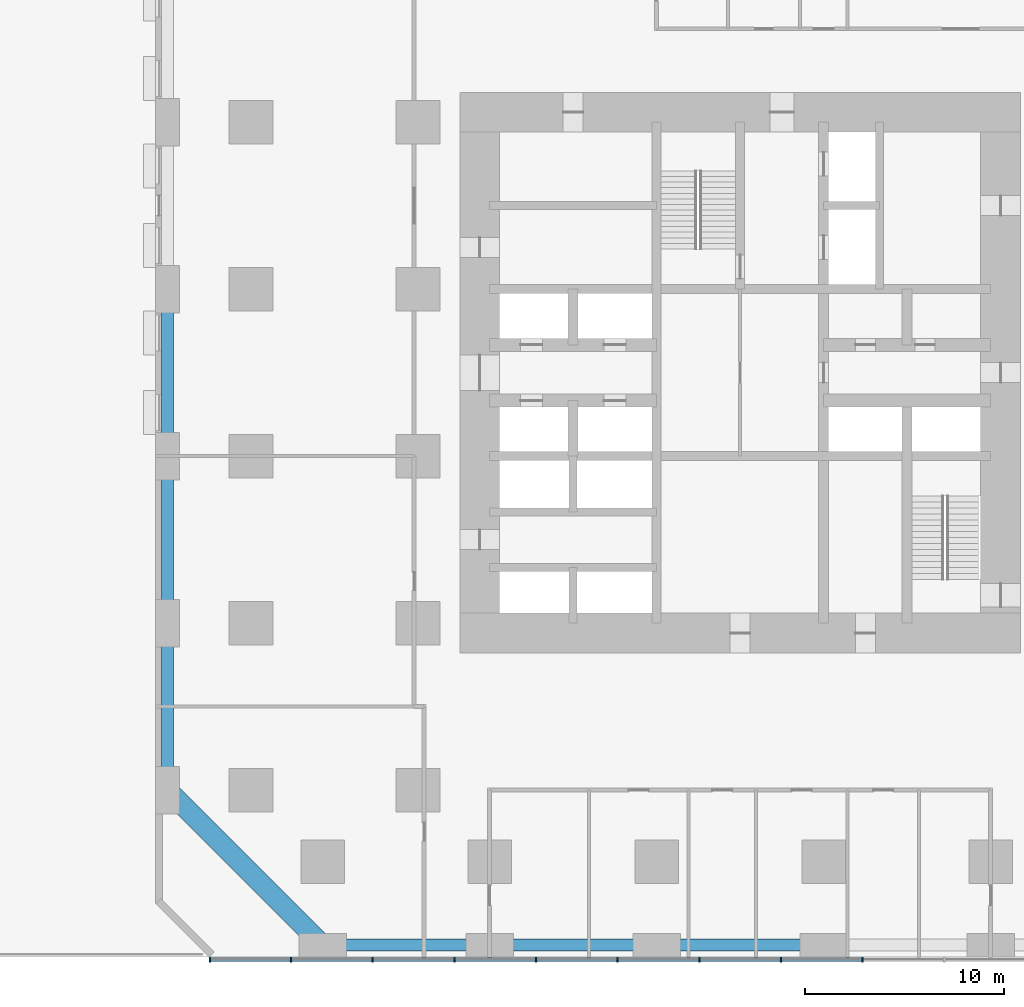
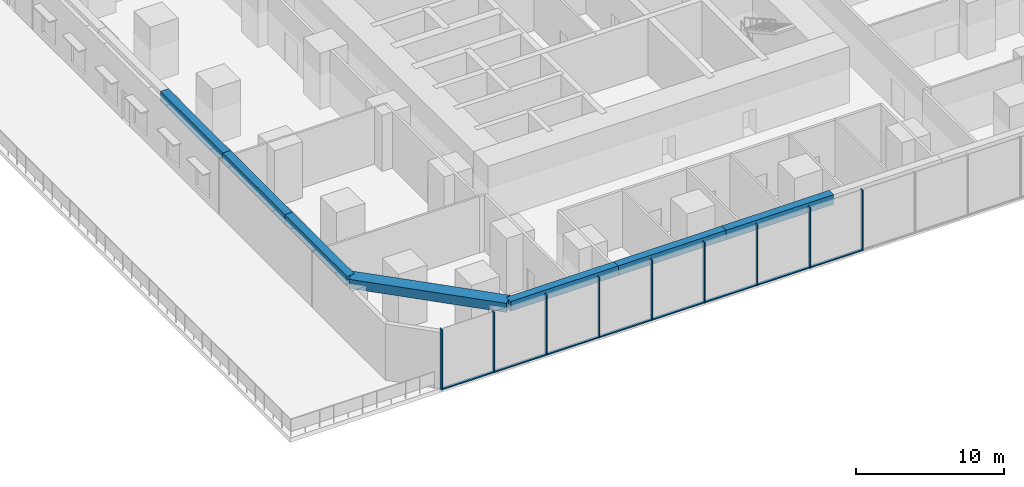
# One storey, part 2 of 12: 17 members, 7 beams, 1 element without a shape of its own.
"""IFC4 building model written with IfcOpenShell, lengths in metres."""

from ifc_helpers import new_model, si_unit, direction, frame, origin, origin_2d, place, context, subcontext, project, spatial, rectangle, extrude, material, material_profile, profile_set, type_object, element, aggregate, save


model = new_model("IFC4")

# Units and contexts
model_context = context("Model", 3, precision=1e-05, world=origin(), true_north=direction((0.0, 1.0)))
body_context = subcontext(model_context, "Body", "Model", "MODEL_VIEW")
ifc_project = project(units=[si_unit("LENGTHUNIT", "METRE"), si_unit("AREAUNIT", "SQUARE_METRE"), si_unit("VOLUMEUNIT", "CUBIC_METRE"), si_unit("PLANEANGLEUNIT", "RADIAN"), si_unit("MASSUNIT", "GRAM", prefix="KILO")], contexts=[model_context])

# Site, building, storey
site_placement = place(None, origin())
site = spatial("IfcSite", under=ifc_project, at=site_placement, CompositionType="ELEMENT")
building_placement = place(site_placement, origin())
building = spatial("IfcBuilding", under=site, at=building_placement, Name="Dunama Terrace Hotel", CompositionType="ELEMENT")
storey_placement = place(building_placement, frame((0.0, 0.0, 22.0)))
storey = spatial("IfcBuildingStorey", under=building, at=storey_placement, Name="L04", CompositionType="ELEMENT", Elevation=22.0)

# Curtain wall, members
ifc_material_1 = material(Name="Aluminium curtain wall system", Category="aluminium")
curtain_wall_type = type_object("IfcCurtainWallType", Name="Podium storefront glazing CW-E", PredefinedType="NOTDEFINED", material=ifc_material_1)
curtain_wall_placement = place(storey_placement, origin())
curtain_wall = element("IfcCurtainWall", 1, at=curtain_wall_placement, inside=storey, type_object=curtain_wall_type, Name="Podium storefront glazing CW-E L04", PredefinedType="NOTDEFINED")
ifc_material_2 = material(Name="Aluminium mullion", Category="aluminium")
ifc_material_profile_1 = material_profile(ifc_material_2, rectangle(XDim=0.080078125, YDim=0.25, at=origin_2d()), Name="CWE MULLION 80X250")
ifc_profile_set_1 = profile_set([ifc_material_profile_1], Name="Aluminium mullion")
member_type_1 = type_object("IfcMemberType", Name="CWE mullion 80x250", PredefinedType="MULLION", material=ifc_profile_set_1)
member_1_placement = place(storey_placement, frame((2.739990234375, -0.125, 0.0), z_axis=(0.0, 0.0, 1.0), x_axis=(1.0, 0.0, 0.0)))
member_1 = element("IfcMember", 2, at=member_1_placement, type_object=member_type_1, Name="CWE mullion", PredefinedType="MULLION", context=body_context, shape_type="SweptSolid", body=[
    extrude(rectangle(XDim=0.080078125, YDim=0.25, at=origin_2d()), origin(), (0.0, 0.0, 1.0), 5.0),
])
member_2_placement = place(storey_placement, frame((6.80810546875, -0.125, 0.0), z_axis=(0.0, 0.0, 1.0), x_axis=(1.0, 0.0, 0.0)))
member_2 = element("IfcMember", 3, at=member_2_placement, type_object=member_type_1, Name="CWE mullion", PredefinedType="MULLION", context=body_context, shape_type="SweptSolid", body=[
    extrude(rectangle(XDim=0.080078125, YDim=0.25, at=origin_2d()), origin(), (0.0, 0.0, 1.0), 5.0),
])
member_3_placement = place(storey_placement, frame((10.9150390625, -0.125, 0.0), z_axis=(0.0, 0.0, 1.0), x_axis=(1.0, 0.0, 0.0)))
member_3 = element("IfcMember", 4, at=member_3_placement, type_object=member_type_1, Name="CWE mullion", PredefinedType="MULLION", context=body_context, shape_type="SweptSolid", body=[
    extrude(rectangle(XDim=0.080078125, YDim=0.25, at=origin_2d()), origin(), (0.0, 0.0, 1.0), 5.0),
])
member_4_placement = place(storey_placement, frame((15.02294921875, -0.125, 0.0), z_axis=(0.0, 0.0, 1.0), x_axis=(1.0, 0.0, 0.0)))
member_4 = element("IfcMember", 5, at=member_4_placement, type_object=member_type_1, Name="CWE mullion", PredefinedType="MULLION", context=body_context, shape_type="SweptSolid", body=[
    extrude(rectangle(XDim=0.080078125, YDim=0.25, at=origin_2d()), origin(), (0.0, 0.0, 1.0), 5.0),
])
member_5_placement = place(storey_placement, frame((19.131103515625, -0.125, 0.0), z_axis=(0.0, 0.0, 1.0), x_axis=(1.0, 0.0, 0.0)))
member_5 = element("IfcMember", 6, at=member_5_placement, type_object=member_type_1, Name="CWE mullion", PredefinedType="MULLION", context=body_context, shape_type="SweptSolid", body=[
    extrude(rectangle(XDim=0.080078125, YDim=0.25, at=origin_2d()), origin(), (0.0, 0.0, 1.0), 5.0),
])
member_6_placement = place(storey_placement, frame((23.238037109375, -0.125, 0.0), z_axis=(0.0, 0.0, 1.0), x_axis=(1.0, 0.0, 0.0)))
member_6 = element("IfcMember", 7, at=member_6_placement, type_object=member_type_1, Name="CWE mullion", PredefinedType="MULLION", context=body_context, shape_type="SweptSolid", body=[
    extrude(rectangle(XDim=0.080078125, YDim=0.25, at=origin_2d()), origin(), (0.0, 0.0, 1.0), 5.0),
])
member_7_placement = place(storey_placement, frame((27.345947265625, -0.125, 0.0), z_axis=(0.0, 0.0, 1.0), x_axis=(1.0, 0.0, 0.0)))
member_7 = element("IfcMember", 8, at=member_7_placement, type_object=member_type_1, Name="CWE mullion", PredefinedType="MULLION", context=body_context, shape_type="SweptSolid", body=[
    extrude(rectangle(XDim=0.080078125, YDim=0.25, at=origin_2d()), origin(), (0.0, 0.0, 1.0), 5.0),
])
member_8_placement = place(storey_placement, frame((31.4541015625, -0.125, 0.0), z_axis=(0.0, 0.0, 1.0), x_axis=(1.0, 0.0, 0.0)))
member_8 = element("IfcMember", 9, at=member_8_placement, type_object=member_type_1, Name="CWE mullion", PredefinedType="MULLION", context=body_context, shape_type="SweptSolid", body=[
    extrude(rectangle(XDim=0.080078125, YDim=0.25, at=origin_2d()), origin(), (0.0, 0.0, 1.0), 5.0),
])
member_9_placement = place(storey_placement, frame((35.56201171875, -0.125, 0.0), z_axis=(0.0, 0.0, 1.0), x_axis=(1.0, 0.0, 0.0)))
member_9 = element("IfcMember", 10, at=member_9_placement, type_object=member_type_1, Name="CWE mullion", PredefinedType="MULLION", context=body_context, shape_type="SweptSolid", body=[
    extrude(rectangle(XDim=0.080078125, YDim=0.25, at=origin_2d()), origin(), (0.0, 0.0, 1.0), 5.0),
])
ifc_material_3 = material(Name="Aluminium transom", Category="aluminium")
ifc_material_profile_2 = material_profile(ifc_material_3, rectangle(XDim=0.199951171875, YDim=0.090087890625, at=origin_2d()), Name="CWE TRANSOM 200X90")
ifc_profile_set_2 = profile_set([ifc_material_profile_2], Name="Aluminium transom")
member_type_2 = type_object("IfcMemberType", Name="CWE transom 200x90", PredefinedType="USERDEFINED", material=ifc_profile_set_2)
member_10_placement = place(storey_placement, frame((2.780029296875, -0.125, 0.044921875), z_axis=(1.0, 0.0, 0.0), x_axis=(0.0, 1.0, 0.0)))
member_10 = element("IfcMember", 11, at=member_10_placement, type_object=member_type_2, Name="CWE transom", ObjectType="TRANSOM", PredefinedType="USERDEFINED", context=body_context, shape_type="SweptSolid", body=[
    extrude(rectangle(XDim=0.199951171875, YDim=0.090087890625, at=origin_2d()), origin(), (0.0, 0.0, 1.0), 3.988037109375),
])
member_11_placement = place(storey_placement, frame((6.847900390625, -0.125, 0.044921875), z_axis=(1.0, 0.0, 0.0), x_axis=(0.0, 1.0, 0.0)))
member_11 = element("IfcMember", 12, at=member_11_placement, type_object=member_type_2, Name="CWE transom", ObjectType="TRANSOM", PredefinedType="USERDEFINED", context=body_context, shape_type="SweptSolid", body=[
    extrude(rectangle(XDim=0.199951171875, YDim=0.090087890625, at=origin_2d()), origin(), (0.0, 0.0, 1.0), 4.027099609375),
])
member_12_placement = place(storey_placement, frame((10.955078125, -0.125, 0.044921875), z_axis=(1.0, 0.0, 0.0), x_axis=(0.0, 1.0, 0.0)))
member_12 = element("IfcMember", 13, at=member_12_placement, type_object=member_type_2, Name="CWE transom", ObjectType="TRANSOM", PredefinedType="USERDEFINED", context=body_context, shape_type="SweptSolid", body=[
    extrude(rectangle(XDim=0.199951171875, YDim=0.090087890625, at=origin_2d()), origin(), (0.0, 0.0, 1.0), 4.02783203125),
])
member_13_placement = place(storey_placement, frame((15.06298828125, -0.125, 0.044921875), z_axis=(1.0, 0.0, 0.0), x_axis=(0.0, 1.0, 0.0)))
member_13 = element("IfcMember", 14, at=member_13_placement, type_object=member_type_2, Name="CWE transom", ObjectType="TRANSOM", PredefinedType="USERDEFINED", context=body_context, shape_type="SweptSolid", body=[
    extrude(rectangle(XDim=0.199951171875, YDim=0.090087890625, at=origin_2d()), origin(), (0.0, 0.0, 1.0), 4.028076171875),
])
member_14_placement = place(storey_placement, frame((19.1708984375, -0.125, 0.044921875), z_axis=(1.0, 0.0, 0.0), x_axis=(0.0, 1.0, 0.0)))
member_14 = element("IfcMember", 15, at=member_14_placement, type_object=member_type_2, Name="CWE transom", ObjectType="TRANSOM", PredefinedType="USERDEFINED", context=body_context, shape_type="SweptSolid", body=[
    extrude(rectangle(XDim=0.199951171875, YDim=0.090087890625, at=origin_2d()), origin(), (0.0, 0.0, 1.0), 4.027099609375),
])
member_15_placement = place(storey_placement, frame((23.278076171875, -0.125, 0.044921875), z_axis=(1.0, 0.0, 0.0), x_axis=(0.0, 1.0, 0.0)))
member_15 = element("IfcMember", 16, at=member_15_placement, type_object=member_type_2, Name="CWE transom", ObjectType="TRANSOM", PredefinedType="USERDEFINED", context=body_context, shape_type="SweptSolid", body=[
    extrude(rectangle(XDim=0.199951171875, YDim=0.090087890625, at=origin_2d()), origin(), (0.0, 0.0, 1.0), 4.02783203125),
])
member_16_placement = place(storey_placement, frame((27.385986328125, -0.125, 0.044921875), z_axis=(1.0, 0.0, 0.0), x_axis=(0.0, 1.0, 0.0)))
member_16 = element("IfcMember", 17, at=member_16_placement, type_object=member_type_2, Name="CWE transom", ObjectType="TRANSOM", PredefinedType="USERDEFINED", context=body_context, shape_type="SweptSolid", body=[
    extrude(rectangle(XDim=0.199951171875, YDim=0.090087890625, at=origin_2d()), origin(), (0.0, 0.0, 1.0), 4.028076171875),
])
member_17_placement = place(storey_placement, frame((31.493896484375, -0.125, 0.044921875), z_axis=(1.0, 0.0, 0.0), x_axis=(0.0, 1.0, 0.0)))
member_17 = element("IfcMember", 18, at=member_17_placement, type_object=member_type_2, Name="CWE transom", ObjectType="TRANSOM", PredefinedType="USERDEFINED", context=body_context, shape_type="SweptSolid", body=[
    extrude(rectangle(XDim=0.199951171875, YDim=0.090087890625, at=origin_2d()), origin(), (0.0, 0.0, 1.0), 4.028076171875),
])
aggregate(curtain_wall, [member_1, member_2, member_3, member_4, member_5, member_6, member_7, member_8, member_9, member_10, member_11, member_12, member_13, member_14, member_15, member_16, member_17])

# Beams
ifc_material_4 = material(Name="Concrete C50/60", Category="concrete")
ifc_material_profile_3 = material_profile(ifc_material_4, rectangle(XDim=1.0, YDim=0.75, at=origin_2d()), Name="RC 1000x750")
ifc_profile_set_3 = profile_set([ifc_material_profile_3], Name="Concrete C50/60")
beam_type_1 = type_object("IfcBeamType", Name="Edge beam RC 1000x750", PredefinedType="SPANDREL", material=ifc_profile_set_3)
beam_1_placement = place(storey_placement, frame((8.39990234375, 0.60009765625, 4.625), z_axis=(-0.707106781187, 0.707106781187, 0.0), x_axis=(-0.707106781187, -0.707106781187, 0.0)))
element("IfcBeam", 19, at=beam_1_placement, inside=storey, type_object=beam_type_1, Name="Corner edge beam under L05", PredefinedType="SPANDREL", context=body_context, shape_type="SweptSolid", body=[
    extrude(rectangle(XDim=1.0, YDim=0.75, at=origin_2d()), origin(), (0.0, 0.0, 1.0), 11.030517578125),
])
ifc_material_5 = material(Name="Concrete C40/50", Category="concrete")
ifc_material_profile_4 = material_profile(ifc_material_5, rectangle(XDim=0.60009765625, YDim=0.800048828125, at=origin_2d()), Name="RC 600x800")
ifc_profile_set_4 = profile_set([ifc_material_profile_4], Name="Concrete C40/50")
beam_type_2 = type_object("IfcBeamType", Name="Edge beam RC 600x800", PredefinedType="SPANDREL", material=ifc_profile_set_4)
beam_2_placement = place(storey_placement, frame((0.60009765625, 8.39990234375, 4.60009765625), z_axis=(0.0, 1.0, 0.0), x_axis=(-1.0, 0.0, 0.0)))
element("IfcBeam", 20, at=beam_2_placement, inside=storey, type_object=beam_type_2, Name="Edge beam under L05", PredefinedType="SPANDREL", context=body_context, shape_type="SweptSolid", body=[
    extrude(rectangle(XDim=0.60009765625, YDim=0.800048828125, at=origin_2d()), origin(), (0.0, 0.0, 1.0), 8.400146484375),
])
beam_3_placement = place(storey_placement, frame((0.60009765625, 16.800048828125, 4.60009765625), z_axis=(0.0, 1.0, 0.0), x_axis=(-1.0, 0.0, 0.0)))
element("IfcBeam", 21, at=beam_3_placement, inside=storey, type_object=beam_type_2, Name="Edge beam under L05", PredefinedType="SPANDREL", context=body_context, shape_type="SweptSolid", body=[
    extrude(rectangle(XDim=0.60009765625, YDim=0.800048828125, at=origin_2d()), origin(), (0.0, 0.0, 1.0), 8.39990234375),
])
for number, where, z_axis, x_axis, name in (
    (22, (0.60009765625, 25.199951171875, 4.60009765625), (0.0, 1.0, 0.0), (-1.0, 0.0, 0.0), "Edge beam under L05"),
    (23, (8.39990234375, 0.60009765625, 4.60009765625), (1.0, 0.0, 0.0), (0.0, 1.0, 0.0), "Edge beam under L05"),
):
    element("IfcBeam", number, at=place(storey_placement, frame(where, z_axis=z_axis, x_axis=x_axis)), inside=storey, type_object=beam_type_2, Name=name, PredefinedType="SPANDREL", context=body_context, shape_type="SweptSolid", body=[
        extrude(rectangle(XDim=0.60009765625, YDim=0.800048828125, at=origin_2d()), origin(), (0.0, 0.0, 1.0), 8.400146484375),
    ])
beam_4_placement = place(storey_placement, frame((16.800048828125, 0.60009765625, 4.60009765625), z_axis=(1.0, 0.0, 0.0), x_axis=(0.0, 1.0, 0.0)))
element("IfcBeam", 24, at=beam_4_placement, inside=storey, type_object=beam_type_2, Name="Edge beam under L05", PredefinedType="SPANDREL", context=body_context, shape_type="SweptSolid", body=[
    extrude(rectangle(XDim=0.60009765625, YDim=0.800048828125, at=origin_2d()), origin(), (0.0, 0.0, 1.0), 8.39990234375),
])
beam_5_placement = place(storey_placement, frame((25.199951171875, 0.60009765625, 4.60009765625), z_axis=(1.0, 0.0, 0.0), x_axis=(0.0, 1.0, 0.0)))
element("IfcBeam", 25, at=beam_5_placement, inside=storey, type_object=beam_type_2, Name="Edge beam under L05", PredefinedType="SPANDREL", context=body_context, shape_type="SweptSolid", body=[
    extrude(rectangle(XDim=0.60009765625, YDim=0.800048828125, at=origin_2d()), origin(), (0.0, 0.0, 1.0), 8.400146484375),
])

save(model, "model.ifc")
